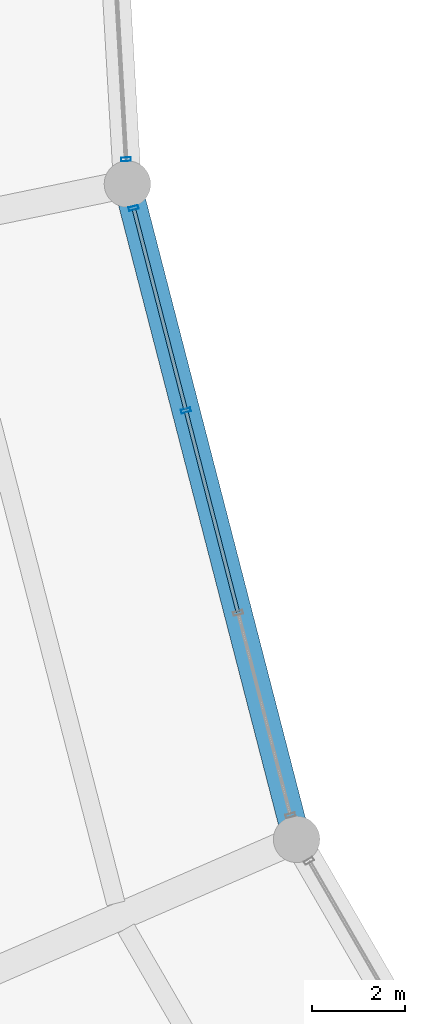
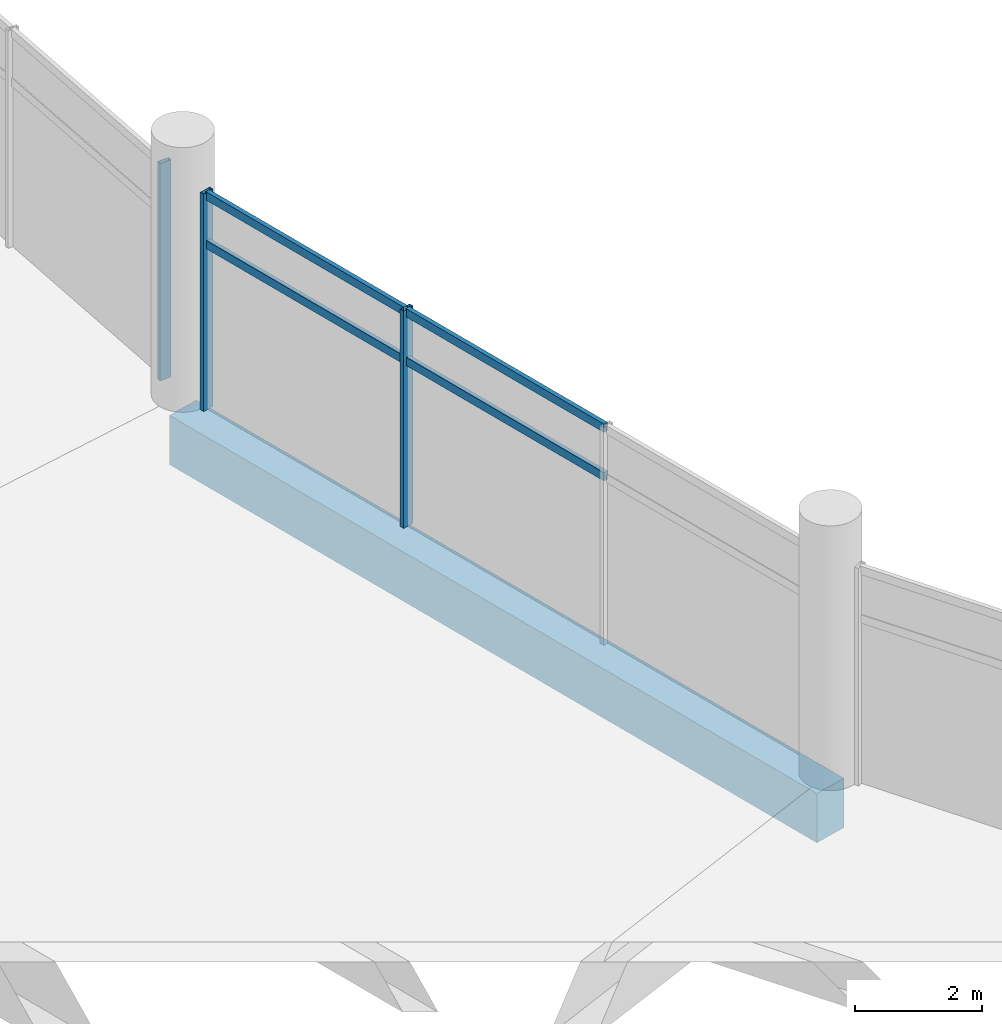
# One storey, part 43 of 184: 7 members, 1 beam, 2 elements without a shape of their own.
"""IFC4 building model written with IfcOpenShell, lengths in metres."""

from ifc_helpers import new_model, si_unit, direction, frame, origin, origin_2d, place, context, subcontext, project, spatial, rectangle, hollow_rectangle, extrude, material, layer, layer_set, material_profile, profile_set, type_object, element, aggregate, save


model = new_model("IFC4")

# Units and contexts
model_context = context("Model", 3, precision=1e-05, world=origin(), true_north=direction((0.0, 1.0)))
body_context = subcontext(model_context, "Body", "Model", "MODEL_VIEW")
ifc_project = project(units=[si_unit("LENGTHUNIT", "METRE"), si_unit("AREAUNIT", "SQUARE_METRE"), si_unit("VOLUMEUNIT", "CUBIC_METRE"), si_unit("PLANEANGLEUNIT", "RADIAN"), si_unit("MASSUNIT", "GRAM", prefix="KILO")], contexts=[model_context])

# Site, building, storey
site_placement = place(None, origin())
site = spatial("IfcSite", under=ifc_project, at=site_placement, CompositionType="ELEMENT")
building_placement = place(site_placement, origin())
building = spatial("IfcBuilding", under=site, at=building_placement, Name="Kazemori Nagisa Stadium", CompositionType="ELEMENT")
storey_placement = place(building_placement, frame((0.0, 0.0, 10.5400390625)))
storey = spatial("IfcBuildingStorey", under=building, at=storey_placement, Name="L02", CompositionType="ELEMENT", Elevation=10.5400390625)

# Beam
ifc_material_1 = material(Name="Concrete C40/50 (Fc42)", Category="concrete")
ifc_material_profile_1 = material_profile(ifc_material_1, rectangle(XDim=0.60009765625, YDim=0.949951171875, at=origin_2d()), Name="RC-BM-600x950")
ifc_profile_set_1 = profile_set([ifc_material_profile_1], Name="Concrete C40/50 (Fc42)")
beam_type = type_object("IfcBeamType", Name="Beam_BG-RC600X950", PredefinedType="BEAM", material=ifc_profile_set_1)
beam_placement = place(storey_placement, frame((54.467041015625, 87.839599609375, -0.735107421875), z_axis=(0.249966077383, -0.9682545947, 0.0), x_axis=(0.9682545947, 0.249966077383, 0.0)))
element("IfcBeam", 1, at=beam_placement, inside=storey, type_object=beam_type, Name="Ring girder BG-RC600X950 L02 R1-16", PredefinedType="BEAM", context=body_context, shape_type="SweptSolid", body=[
    extrude(rectangle(XDim=0.60009765625, YDim=0.949951171875, at=origin_2d()), origin(), (0.0, 0.0, 1.0), 14.58984375),
])

# Curtain wall, member
ifc_material_2 = material(Name="Anodised aluminium 6063-T5", Category="aluminium")
ifc_layer_1 = layer(ifc_material_2, 0.2099609375, Name="Anodised aluminium 6063-T5", Category="aluminium")
ifc_layer_set_1 = layer_set([ifc_layer_1], Name="Anodised aluminium 6063-T5")
curtain_wall_type_1 = type_object("IfcCurtainWallType", Name="CW_L02B_66", PredefinedType="USERDEFINED", material=ifc_layer_set_1)
curtain_wall_1_placement = place(storey_placement, origin())
curtain_wall_1 = element("IfcCurtainWall", 2, at=curtain_wall_1_placement, inside=storey, type_object=curtain_wall_type_1, Name="Unitised curtain wall CW-L02B-66 L02", ObjectType="UNITISED CURTAIN WALL", PredefinedType="USERDEFINED")
ifc_material_3 = material(Name="Aluminium 6063-T5 anodised", Category="aluminium")
ifc_material_profile_2 = material_profile(ifc_material_3, hollow_rectangle(XDim=0.080078125, YDim=0.2099609375, WallThickness=0.0048828125, at=origin_2d()), Name="ALU-MULL-80x210x5")
ifc_profile_set_2 = profile_set([ifc_material_profile_2], Name="Aluminium 6063-T5 anodised")
member_type_1 = type_object("IfcMemberType", Name="Mullion_M02", PredefinedType="MULLION", material=ifc_profile_set_2)
member_1_placement = place(storey_placement, frame((54.436279296875, 88.373779296875, 0.0), z_axis=(0.0, 0.0, 1.0), x_axis=(0.057601670941, -0.998339645364, 0.0)))
member_1 = element("IfcMember", 3, at=member_1_placement, type_object=member_type_1, Name="Curtain wall mullion CW-L02B-66-M4", PredefinedType="MULLION", context=body_context, shape_type="SweptSolid", body=[
    extrude(hollow_rectangle(XDim=0.080078125, YDim=0.2099609375, WallThickness=0.0048828125, at=origin_2d()), origin(), (0.0, 0.0, 1.0), 4.18994140625),
])
aggregate(curtain_wall_1, [member_1])

# Curtain wall, members
ifc_layer_2 = layer(ifc_material_2, 0.2099609375, Name="Anodised aluminium 6063-T5", Category="aluminium")
ifc_layer_set_2 = layer_set([ifc_layer_2], Name="Anodised aluminium 6063-T5")
curtain_wall_type_2 = type_object("IfcCurtainWallType", Name="CW_L02B_68", PredefinedType="USERDEFINED", material=ifc_layer_set_2)
curtain_wall_2_placement = place(storey_placement, origin())
curtain_wall_2 = element("IfcCurtainWall", 4, at=curtain_wall_2_placement, inside=storey, type_object=curtain_wall_type_2, Name="Unitised curtain wall CW-L02B-68 L02", ObjectType="UNITISED CURTAIN WALL", PredefinedType="USERDEFINED")
member_2_placement = place(storey_placement, frame((54.600830078125, 87.32177734375, 0.0), z_axis=(0.0, 0.0, 1.0), x_axis=(0.249964642418, -0.968254965152, 0.0)))
member_2 = element("IfcMember", 5, at=member_2_placement, type_object=member_type_1, Name="Curtain wall mullion CW-L02B-68-M1", PredefinedType="MULLION", context=body_context, shape_type="SweptSolid", body=[
    extrude(hollow_rectangle(XDim=0.080078125, YDim=0.2099609375, WallThickness=0.0048828125, at=origin_2d()), origin(), (0.0, 0.0, 1.0), 4.18994140625),
])
member_3_placement = place(storey_placement, frame((55.727294921875, 82.9580078125, 0.0), z_axis=(0.0, 0.0, 1.0), x_axis=(0.249964642418, -0.968254965152, 0.0)))
member_3 = element("IfcMember", 6, at=member_3_placement, type_object=member_type_1, Name="Curtain wall mullion CW-L02B-68-M2", PredefinedType="MULLION", context=body_context, shape_type="SweptSolid", body=[
    extrude(hollow_rectangle(XDim=0.080078125, YDim=0.2099609375, WallThickness=0.0048828125, at=origin_2d()), origin(), (0.0, 0.0, 1.0), 4.18994140625),
])
ifc_material_profile_3 = material_profile(ifc_material_3, hollow_rectangle(XDim=0.080078125, YDim=0.159912109375, WallThickness=0.00390625, at=origin_2d()), Name="ALU-TRAN-80x160x4")
ifc_profile_set_3 = profile_set([ifc_material_profile_3], Name="Aluminium 6063-T5 anodised")
member_type_2 = type_object("IfcMemberType", Name="Transom_T02", PredefinedType="USERDEFINED", material=ifc_profile_set_3)
member_4_placement = place(storey_placement, frame((54.605712890625, 87.30224609375, 3.184326171875), z_axis=(0.249962328516, -0.968255562505, 0.0), x_axis=(0.968255562505, 0.249962328516, 0.0)))
member_4 = element("IfcMember", 7, at=member_4_placement, type_object=member_type_2, Name="Curtain wall transom CW-L02B-68-T1-mid", ObjectType="TRANSOM", PredefinedType="USERDEFINED", context=body_context, shape_type="SweptSolid", body=[
    extrude(hollow_rectangle(XDim=0.080078125, YDim=0.159912109375, WallThickness=0.00390625, at=origin_2d()), origin(), (0.0, 0.0, 1.0), 4.466552734375),
])
member_5_placement = place(storey_placement, frame((54.605712890625, 87.30224609375, 4.119873046875), z_axis=(0.249962328516, -0.968255562505, 0.0), x_axis=(0.968255562505, 0.249962328516, 0.0)))
member_5 = element("IfcMember", 8, at=member_5_placement, type_object=member_type_2, Name="Curtain wall transom CW-L02B-68-T1-head", ObjectType="TRANSOM", PredefinedType="USERDEFINED", context=body_context, shape_type="SweptSolid", body=[
    extrude(hollow_rectangle(XDim=0.080078125, YDim=0.159912109375, WallThickness=0.00390625, at=origin_2d()), origin(), (0.0, 0.0, 1.0), 4.466552734375),
])
member_6_placement = place(storey_placement, frame((55.732177734375, 82.938720703125, 3.184326171875), z_axis=(0.25000034168, -0.96824574833, 0.0), x_axis=(0.96824574833, 0.25000034168, 0.0)))
member_6 = element("IfcMember", 9, at=member_6_placement, type_object=member_type_2, Name="Curtain wall transom CW-L02B-68-T2-mid", ObjectType="TRANSOM", PredefinedType="USERDEFINED", context=body_context, shape_type="SweptSolid", body=[
    extrude(hollow_rectangle(XDim=0.080078125, YDim=0.159912109375, WallThickness=0.00390625, at=origin_2d()), origin(), (0.0, 0.0, 1.0), 4.466796875),
])
member_7_placement = place(storey_placement, frame((55.732177734375, 82.938720703125, 4.119873046875), z_axis=(0.25000034168, -0.96824574833, 0.0), x_axis=(0.96824574833, 0.25000034168, 0.0)))
member_7 = element("IfcMember", 10, at=member_7_placement, type_object=member_type_2, Name="Curtain wall transom CW-L02B-68-T2-head", ObjectType="TRANSOM", PredefinedType="USERDEFINED", context=body_context, shape_type="SweptSolid", body=[
    extrude(hollow_rectangle(XDim=0.080078125, YDim=0.159912109375, WallThickness=0.00390625, at=origin_2d()), origin(), (0.0, 0.0, 1.0), 4.466796875),
])
aggregate(curtain_wall_2, [member_2, member_3, member_4, member_5, member_6, member_7])

save(model, "model.ifc")
